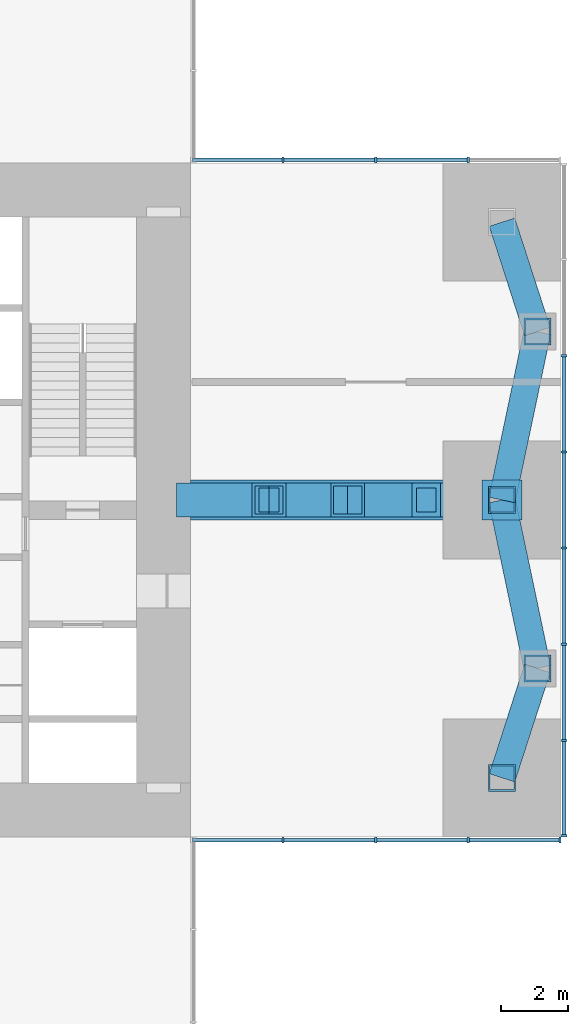
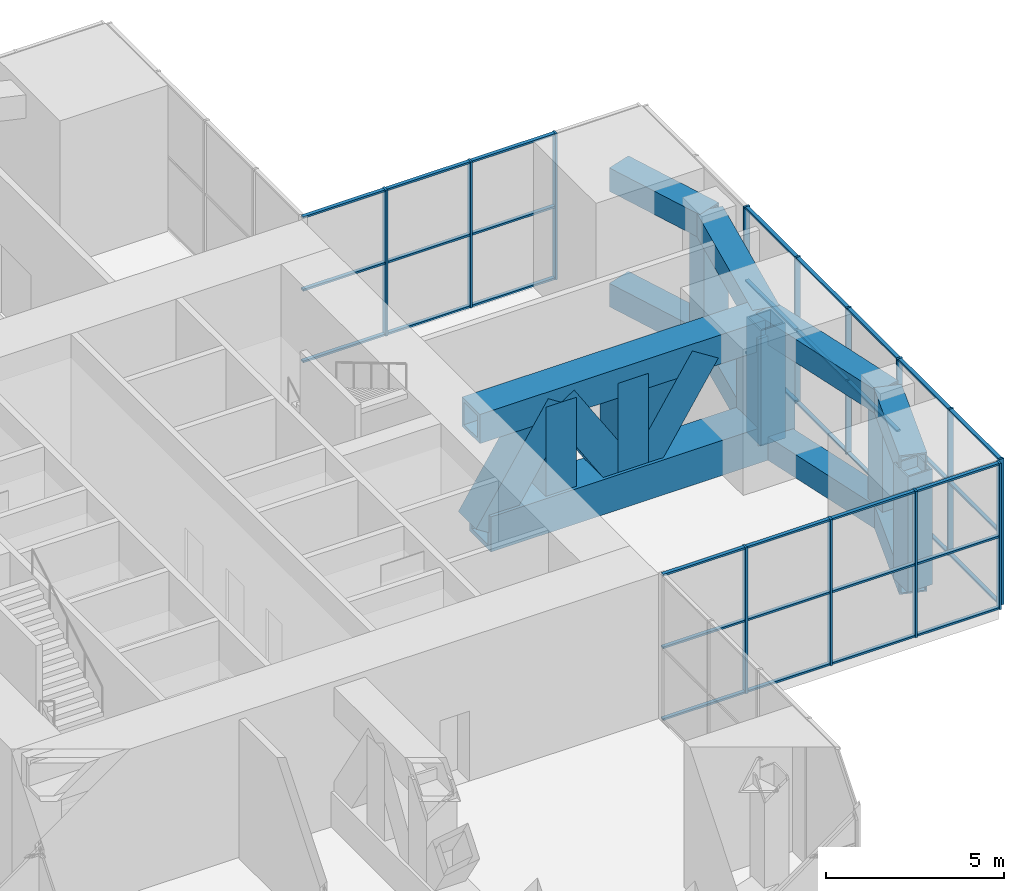
# One storey, part 5 of 12: 69 members, 3 elements without a shape of their own.
"""IFC4 building model written with IfcOpenShell, lengths in metres."""

from ifc_helpers import new_model, si_unit, direction, frame, origin, origin_2d, place, context, subcontext, project, spatial, rectangle, hollow_rectangle, extrude, material, material_profile, profile_set, type_object, element, aggregate, save


model = new_model("IFC4")

# Units and contexts
model_context = context("Model", 3, precision=1e-05, world=origin(), true_north=direction((0.0, 1.0)))
body_context = subcontext(model_context, "Body", "Model", "MODEL_VIEW")
ifc_project = project(units=[si_unit("LENGTHUNIT", "METRE"), si_unit("AREAUNIT", "SQUARE_METRE"), si_unit("VOLUMEUNIT", "CUBIC_METRE"), si_unit("PLANEANGLEUNIT", "RADIAN"), si_unit("MASSUNIT", "GRAM", prefix="KILO")], contexts=[model_context])

# Site, building, storey
site_placement = place(None, origin())
site = spatial("IfcSite", under=ifc_project, at=site_placement, CompositionType="ELEMENT")
building_placement = place(site_placement, origin())
building = spatial("IfcBuilding", under=site, at=building_placement, Name="Svetlomir Tower", CompositionType="ELEMENT")
storey_placement = place(building_placement, frame((0.0, 0.0, 160.5)))
storey = spatial("IfcBuildingStorey", under=building, at=storey_placement, Name="L38", CompositionType="ELEMENT", Elevation=160.5)

# Members
ifc_material_1 = material(Name="Steel S355", Category="steel")
ifc_material_profile_1 = material_profile(ifc_material_1, hollow_rectangle(XDim=0.800048828125, YDim=0.800048828125, WallThickness=0.050048828125, at=origin_2d()), Name="BOX 800x800x50")
ifc_profile_set_1 = profile_set([ifc_material_profile_1], Name="Steel S355")
member_type_1 = type_object("IfcMemberType", Name="BELT FRAME CHORD BOX 800x800x50", PredefinedType="CHORD", material=ifc_profile_set_1)
for number, where, z_axis, x_axis, name in (
    (1, (40.25, 12.75, 0.39990234375), (0.307443428225, 0.951566360503, 0.0), (-0.951566360503, 0.307443428225, 0.0), "Belt frame E L38 bottom chord 1"),
    (2, (40.25, 12.75, 4.35009765625), (0.307443428225, 0.951566360503, 0.0), (-0.951566360503, 0.307443428225, 0.0), "Belt frame E L38 top chord 1"),
):
    element("IfcMember", number, at=place(storey_placement, frame(where, z_axis=z_axis, x_axis=x_axis)), inside=storey, type_object=member_type_1, Name=name, PredefinedType="CHORD", context=body_context, shape_type="SweptSolid", body=[
        extrude(hollow_rectangle(XDim=0.800048828125, YDim=0.800048828125, WallThickness=0.050048828125, at=origin_2d()), origin(), (0.0, 0.0, 1.0), 3.41552734375),
    ])
for number, where, z_axis, x_axis, name in (
    (3, (41.300048828125, 16.0, 0.39990234375), (-0.205526387753, 0.978651574329, 0.0), (-0.978651574329, -0.205526387753, 0.0), "Belt frame E L38 bottom chord 2"),
    (4, (41.300048828125, 16.0, 4.35009765625), (-0.205526387753, 0.978651574329, 0.0), (-0.978651574329, -0.205526387753, 0.0), "Belt frame E L38 top chord 2"),
    (5, (40.25, 21.0, 0.39990234375), (0.205526387753, 0.978651574329, 0.0), (-0.978651574329, 0.205526387753, 0.0), "Belt frame E L38 bottom chord 3"),
    (6, (40.25, 21.0, 4.35009765625), (0.205526387753, 0.978651574329, 0.0), (-0.978651574329, 0.205526387753, 0.0), "Belt frame E L38 top chord 3"),
):
    element("IfcMember", number, at=place(storey_placement, frame(where, z_axis=z_axis, x_axis=x_axis)), inside=storey, type_object=member_type_1, Name=name, PredefinedType="CHORD", context=body_context, shape_type="SweptSolid", body=[
        extrude(hollow_rectangle(XDim=0.800048828125, YDim=0.800048828125, WallThickness=0.050048828125, at=origin_2d()), origin(), (0.0, 0.0, 1.0), 5.109130859375),
    ])
for number, where, z_axis, x_axis, name in (
    (7, (41.300048828125, 26.0, 0.39990234375), (-0.307443428225, 0.951566360503, 0.0), (-0.951566360503, -0.307443428225, 0.0), "Belt frame E L38 bottom chord 4"),
    (8, (41.300048828125, 26.0, 4.35009765625), (-0.307443428225, 0.951566360503, 0.0), (-0.951566360503, -0.307443428225, 0.0), "Belt frame E L38 top chord 4"),
):
    element("IfcMember", number, at=place(storey_placement, frame(where, z_axis=z_axis, x_axis=x_axis)), inside=storey, type_object=member_type_1, Name=name, PredefinedType="CHORD", context=body_context, shape_type="SweptSolid", body=[
        extrude(hollow_rectangle(XDim=0.800048828125, YDim=0.800048828125, WallThickness=0.050048828125, at=origin_2d()), origin(), (0.0, 0.0, 1.0), 3.41552734375),
    ])
ifc_material_2 = material(Name="Steel S355", Category="steel")
ifc_material_profile_2 = material_profile(ifc_material_2, hollow_rectangle(XDim=0.800048828125, YDim=0.800048828125, WallThickness=0.050048828125, at=origin_2d()), Name="BOX 800x800x50")
ifc_profile_set_2 = profile_set([ifc_material_profile_2], Name="Steel S355")
member_type_2 = type_object("IfcMemberType", Name="BELT FRAME POST BOX 800x800x50", PredefinedType="POST", material=ifc_profile_set_2)
for number, where, z_axis, x_axis, name in (
    (9, (40.25, 12.75, 0.39990234375), (0.0, 0.0, 1.0), (1.0, 0.0, 0.0), "Belt frame E L38 post 1"),
    (10, (41.300048828125, 16.0, 0.39990234375), (0.0, 0.0, 1.0), (1.0, 0.0, 0.0), "Belt frame E L38 post 2"),
    (11, (40.25, 21.0, 0.39990234375), (0.0, 0.0, 1.0), (1.0, 0.0, 0.0), "Belt frame E L38 post 3"),
    (12, (41.300048828125, 26.0, 0.39990234375), (0.0, 0.0, 1.0), (1.0, 0.0, 0.0), "Belt frame E L38 post 4"),
):
    element("IfcMember", number, at=place(storey_placement, frame(where, z_axis=z_axis, x_axis=x_axis)), inside=storey, type_object=member_type_2, Name=name, PredefinedType="POST", context=body_context, shape_type="SweptSolid", body=[
        extrude(hollow_rectangle(XDim=0.800048828125, YDim=0.800048828125, WallThickness=0.050048828125, at=origin_2d()), origin(), (0.0, 0.0, 1.0), 3.9501953125),
    ])

# Curtain wall, members
ifc_material_3 = material(Name="Bronze anodised aluminium curtain wall", Category="aluminium")
curtain_wall_type = type_object("IfcCurtainWallType", Name="CURTAIN WALL CW3 PLANT LOUVRE", PredefinedType="NOTDEFINED", material=ifc_material_3)
curtain_wall_1_placement = place(storey_placement, origin())
curtain_wall_1 = element("IfcCurtainWall", 13, at=curtain_wall_1_placement, inside=storey, type_object=curtain_wall_type, Name="Curtain wall CW3 L38", PredefinedType="NOTDEFINED")
ifc_material_4 = material(Name="Bronze anodised aluminium", Category="aluminium")
ifc_material_profile_3 = material_profile(ifc_material_4, rectangle(XDim=0.06494140625, YDim=0.179931640625, at=origin_2d()), Name="AL 65x180")
ifc_profile_set_3 = profile_set([ifc_material_profile_3], Name="Bronze anodised aluminium 6063-T6")
member_type_3 = type_object("IfcMemberType", Name="CW3 MULLION 65x180", PredefinedType="MULLION", material=ifc_profile_set_3)
member_1_placement = place(storey_placement, frame((33.75, 10.909912109375, 0.0), z_axis=(0.0, 0.0, 1.0), x_axis=(1.0, 0.0, 0.0)))
member_1 = element("IfcMember", 14, at=member_1_placement, type_object=member_type_3, Name="CW3 mullion 2", PredefinedType="MULLION", context=body_context, shape_type="SweptSolid", body=[
    extrude(rectangle(XDim=0.06494140625, YDim=0.179931640625, at=origin_2d()), origin(), (0.0, 0.0, 1.0), 5.0),
])
member_2_placement = place(storey_placement, frame((36.5, 10.909912109375, 0.0), z_axis=(0.0, 0.0, 1.0), x_axis=(1.0, 0.0, 0.0)))
member_2 = element("IfcMember", 15, at=member_2_placement, type_object=member_type_3, Name="CW3 mullion 3", PredefinedType="MULLION", context=body_context, shape_type="SweptSolid", body=[
    extrude(rectangle(XDim=0.06494140625, YDim=0.179931640625, at=origin_2d()), origin(), (0.0, 0.0, 1.0), 5.0),
])
member_3_placement = place(storey_placement, frame((39.25, 10.909912109375, 0.0), z_axis=(0.0, 0.0, 1.0), x_axis=(1.0, 0.0, 0.0)))
member_3 = element("IfcMember", 16, at=member_3_placement, type_object=member_type_3, Name="CW3 mullion 4", PredefinedType="MULLION", context=body_context, shape_type="SweptSolid", body=[
    extrude(rectangle(XDim=0.06494140625, YDim=0.179931640625, at=origin_2d()), origin(), (0.0, 0.0, 1.0), 5.0),
])
member_4_placement = place(storey_placement, frame((41.967529296875, 10.909912109375, 0.0), z_axis=(0.0, 0.0, 1.0), x_axis=(1.0, 0.0, 0.0)))
member_4 = element("IfcMember", 17, at=member_4_placement, type_object=member_type_3, Name="CW3 mullion 5", PredefinedType="MULLION", context=body_context, shape_type="SweptSolid", body=[
    extrude(rectangle(XDim=0.06494140625, YDim=0.179931640625, at=origin_2d()), origin(), (0.0, 0.0, 1.0), 5.0),
])

curtain_wall_2_placement = place(storey_placement, origin())
curtain_wall_2 = element("IfcCurtainWall", 18, at=curtain_wall_2_placement, inside=storey, type_object=curtain_wall_type, Name="Curtain wall CW3 L38", PredefinedType="NOTDEFINED")
member_5_placement = place(storey_placement, frame((42.090087890625, 11.032470703125, 0.0), z_axis=(0.0, 0.0, 1.0), x_axis=(0.0, 1.0, 0.0)))
member_5 = element("IfcMember", 19, at=member_5_placement, type_object=member_type_3, Name="CW3 mullion 1", PredefinedType="MULLION", context=body_context, shape_type="SweptSolid", body=[
    extrude(rectangle(XDim=0.06494140625, YDim=0.179931640625, at=origin_2d()), origin(), (0.0, 0.0, 1.0), 5.0),
])
member_6_placement = place(storey_placement, frame((42.090087890625, 13.857177734375, 0.0), z_axis=(0.0, 0.0, 1.0), x_axis=(0.0, 1.0, 0.0)))
member_6 = element("IfcMember", 20, at=member_6_placement, type_object=member_type_3, Name="CW3 mullion 2", PredefinedType="MULLION", context=body_context, shape_type="SweptSolid", body=[
    extrude(rectangle(XDim=0.06494140625, YDim=0.179931640625, at=origin_2d()), origin(), (0.0, 0.0, 1.0), 5.0),
])
member_7_placement = place(storey_placement, frame((42.090087890625, 16.71435546875, 0.0), z_axis=(0.0, 0.0, 1.0), x_axis=(0.0, 1.0, 0.0)))
member_7 = element("IfcMember", 21, at=member_7_placement, type_object=member_type_3, Name="CW3 mullion 3", PredefinedType="MULLION", context=body_context, shape_type="SweptSolid", body=[
    extrude(rectangle(XDim=0.06494140625, YDim=0.179931640625, at=origin_2d()), origin(), (0.0, 0.0, 1.0), 5.0),
])
member_8_placement = place(storey_placement, frame((42.090087890625, 19.571533203125, 0.0), z_axis=(0.0, 0.0, 1.0), x_axis=(0.0, 1.0, 0.0)))
member_8 = element("IfcMember", 22, at=member_8_placement, type_object=member_type_3, Name="CW3 mullion 4", PredefinedType="MULLION", context=body_context, shape_type="SweptSolid", body=[
    extrude(rectangle(XDim=0.06494140625, YDim=0.179931640625, at=origin_2d()), origin(), (0.0, 0.0, 1.0), 5.0),
])
member_9_placement = place(storey_placement, frame((42.090087890625, 22.428466796875, 0.0), z_axis=(0.0, 0.0, 1.0), x_axis=(0.0, 1.0, 0.0)))
member_9 = element("IfcMember", 23, at=member_9_placement, type_object=member_type_3, Name="CW3 mullion 5", PredefinedType="MULLION", context=body_context, shape_type="SweptSolid", body=[
    extrude(rectangle(XDim=0.06494140625, YDim=0.179931640625, at=origin_2d()), origin(), (0.0, 0.0, 1.0), 5.0),
])
member_10_placement = place(storey_placement, frame((42.090087890625, 25.28564453125, 0.0), z_axis=(0.0, 0.0, 1.0), x_axis=(0.0, 1.0, 0.0)))
member_10 = element("IfcMember", 24, at=member_10_placement, type_object=member_type_3, Name="CW3 mullion 6", PredefinedType="MULLION", context=body_context, shape_type="SweptSolid", body=[
    extrude(rectangle(XDim=0.06494140625, YDim=0.179931640625, at=origin_2d()), origin(), (0.0, 0.0, 1.0), 5.0),
])

curtain_wall_3_placement = place(storey_placement, origin())
curtain_wall_3 = element("IfcCurtainWall", 25, at=curtain_wall_3_placement, inside=storey, type_object=curtain_wall_type, Name="Curtain wall CW3 L38", PredefinedType="NOTDEFINED")
member_11_placement = place(storey_placement, frame((39.25, 31.090087890625, 0.0), z_axis=(0.0, 0.0, 1.0), x_axis=(-1.0, 0.0, 0.0)))
member_11 = element("IfcMember", 26, at=member_11_placement, type_object=member_type_3, Name="CW3 mullion 2", PredefinedType="MULLION", context=body_context, shape_type="SweptSolid", body=[
    extrude(rectangle(XDim=0.06494140625, YDim=0.179931640625, at=origin_2d()), origin(), (0.0, 0.0, 1.0), 5.0),
])
member_12_placement = place(storey_placement, frame((36.5, 31.090087890625, 0.0), z_axis=(0.0, 0.0, 1.0), x_axis=(-1.0, 0.0, 0.0)))
member_12 = element("IfcMember", 27, at=member_12_placement, type_object=member_type_3, Name="CW3 mullion 3", PredefinedType="MULLION", context=body_context, shape_type="SweptSolid", body=[
    extrude(rectangle(XDim=0.06494140625, YDim=0.179931640625, at=origin_2d()), origin(), (0.0, 0.0, 1.0), 5.0),
])
member_13_placement = place(storey_placement, frame((33.75, 31.090087890625, 0.0), z_axis=(0.0, 0.0, 1.0), x_axis=(-1.0, 0.0, 0.0)))
member_13 = element("IfcMember", 28, at=member_13_placement, type_object=member_type_3, Name="CW3 mullion 4", PredefinedType="MULLION", context=body_context, shape_type="SweptSolid", body=[
    extrude(rectangle(XDim=0.06494140625, YDim=0.179931640625, at=origin_2d()), origin(), (0.0, 0.0, 1.0), 5.0),
])

# Member
ifc_material_5 = material(Name="Bronze anodised aluminium", Category="aluminium")
ifc_material_profile_4 = material_profile(ifc_material_5, rectangle(XDim=0.1201171875, YDim=0.06494140625, at=origin_2d()), Name="AL 120x65")
ifc_profile_set_4 = profile_set([ifc_material_profile_4], Name="Bronze anodised aluminium 6063-T6")
member_type_4 = type_object("IfcMemberType", Name="CW3 TRANSOM 65x120", PredefinedType="USERDEFINED", material=ifc_profile_set_4)
member_14_placement = place(storey_placement, frame((31.06494140625, 10.909912109375, 0.032470703125), z_axis=(1.0, 0.0, 0.0), x_axis=(0.0, 1.0, 0.0)))
member_14 = element("IfcMember", 29, at=member_14_placement, type_object=member_type_4, Name="CW3 transom 1.1", ObjectType="TRANSOM", PredefinedType="USERDEFINED", context=body_context, shape_type="SweptSolid", body=[
    extrude(rectangle(XDim=0.1201171875, YDim=0.06494140625, at=origin_2d()), origin(), (0.0, 0.0, 1.0), 2.652587890625),
])

member_15_placement = place(storey_placement, frame((31.06494140625, 10.909912109375, 2.483642578125), z_axis=(1.0, 0.0, 0.0), x_axis=(0.0, 1.0, 0.0)))
member_15 = element("IfcMember", 30, at=member_15_placement, type_object=member_type_4, Name="CW3 transom 1.2", ObjectType="TRANSOM", PredefinedType="USERDEFINED", context=body_context, shape_type="SweptSolid", body=[
    extrude(rectangle(XDim=0.1201171875, YDim=0.06494140625, at=origin_2d()), origin(), (0.0, 0.0, 1.0), 2.652587890625),
])

member_16_placement = place(storey_placement, frame((31.06494140625, 10.909912109375, 4.967529296875), z_axis=(1.0, 0.0, 0.0), x_axis=(0.0, 1.0, 0.0)))
member_16 = element("IfcMember", 31, at=member_16_placement, type_object=member_type_4, Name="CW3 transom 1.3", ObjectType="TRANSOM", PredefinedType="USERDEFINED", context=body_context, shape_type="SweptSolid", body=[
    extrude(rectangle(XDim=0.1201171875, YDim=0.06494140625, at=origin_2d()), origin(), (0.0, 0.0, 1.0), 2.652587890625),
])

member_17_placement = place(storey_placement, frame((33.782470703125, 10.909912109375, 0.032470703125), z_axis=(1.0, 0.0, 0.0), x_axis=(0.0, 1.0, 0.0)))
member_17 = element("IfcMember", 32, at=member_17_placement, type_object=member_type_4, Name="CW3 transom 2.1", ObjectType="TRANSOM", PredefinedType="USERDEFINED", context=body_context, shape_type="SweptSolid", body=[
    extrude(rectangle(XDim=0.1201171875, YDim=0.06494140625, at=origin_2d()), origin(), (0.0, 0.0, 1.0), 2.68505859375),
])

member_18_placement = place(storey_placement, frame((33.782470703125, 10.909912109375, 2.483642578125), z_axis=(1.0, 0.0, 0.0), x_axis=(0.0, 1.0, 0.0)))
member_18 = element("IfcMember", 33, at=member_18_placement, type_object=member_type_4, Name="CW3 transom 2.2", ObjectType="TRANSOM", PredefinedType="USERDEFINED", context=body_context, shape_type="SweptSolid", body=[
    extrude(rectangle(XDim=0.1201171875, YDim=0.06494140625, at=origin_2d()), origin(), (0.0, 0.0, 1.0), 2.68505859375),
])

member_19_placement = place(storey_placement, frame((33.782470703125, 10.909912109375, 4.967529296875), z_axis=(1.0, 0.0, 0.0), x_axis=(0.0, 1.0, 0.0)))
member_19 = element("IfcMember", 34, at=member_19_placement, type_object=member_type_4, Name="CW3 transom 2.3", ObjectType="TRANSOM", PredefinedType="USERDEFINED", context=body_context, shape_type="SweptSolid", body=[
    extrude(rectangle(XDim=0.1201171875, YDim=0.06494140625, at=origin_2d()), origin(), (0.0, 0.0, 1.0), 2.68505859375),
])

member_20_placement = place(storey_placement, frame((36.532470703125, 10.909912109375, 0.032470703125), z_axis=(1.0, 0.0, 0.0), x_axis=(0.0, 1.0, 0.0)))
member_20 = element("IfcMember", 35, at=member_20_placement, type_object=member_type_4, Name="CW3 transom 3.1", ObjectType="TRANSOM", PredefinedType="USERDEFINED", context=body_context, shape_type="SweptSolid", body=[
    extrude(rectangle(XDim=0.1201171875, YDim=0.06494140625, at=origin_2d()), origin(), (0.0, 0.0, 1.0), 2.68505859375),
])

member_21_placement = place(storey_placement, frame((36.532470703125, 10.909912109375, 2.483642578125), z_axis=(1.0, 0.0, 0.0), x_axis=(0.0, 1.0, 0.0)))
member_21 = element("IfcMember", 36, at=member_21_placement, type_object=member_type_4, Name="CW3 transom 3.2", ObjectType="TRANSOM", PredefinedType="USERDEFINED", context=body_context, shape_type="SweptSolid", body=[
    extrude(rectangle(XDim=0.1201171875, YDim=0.06494140625, at=origin_2d()), origin(), (0.0, 0.0, 1.0), 2.68505859375),
])

member_22_placement = place(storey_placement, frame((36.532470703125, 10.909912109375, 4.967529296875), z_axis=(1.0, 0.0, 0.0), x_axis=(0.0, 1.0, 0.0)))
member_22 = element("IfcMember", 37, at=member_22_placement, type_object=member_type_4, Name="CW3 transom 3.3", ObjectType="TRANSOM", PredefinedType="USERDEFINED", context=body_context, shape_type="SweptSolid", body=[
    extrude(rectangle(XDim=0.1201171875, YDim=0.06494140625, at=origin_2d()), origin(), (0.0, 0.0, 1.0), 2.68505859375),
])

member_23_placement = place(storey_placement, frame((39.282470703125, 10.909912109375, 0.032470703125), z_axis=(1.0, 0.0, 0.0), x_axis=(0.0, 1.0, 0.0)))
member_23 = element("IfcMember", 38, at=member_23_placement, type_object=member_type_4, Name="CW3 transom 4.1", ObjectType="TRANSOM", PredefinedType="USERDEFINED", context=body_context, shape_type="SweptSolid", body=[
    extrude(rectangle(XDim=0.1201171875, YDim=0.06494140625, at=origin_2d()), origin(), (0.0, 0.0, 1.0), 2.652587890625),
])

member_24_placement = place(storey_placement, frame((39.282470703125, 10.909912109375, 2.483642578125), z_axis=(1.0, 0.0, 0.0), x_axis=(0.0, 1.0, 0.0)))
member_24 = element("IfcMember", 39, at=member_24_placement, type_object=member_type_4, Name="CW3 transom 4.2", ObjectType="TRANSOM", PredefinedType="USERDEFINED", context=body_context, shape_type="SweptSolid", body=[
    extrude(rectangle(XDim=0.1201171875, YDim=0.06494140625, at=origin_2d()), origin(), (0.0, 0.0, 1.0), 2.652587890625),
])

member_25_placement = place(storey_placement, frame((39.282470703125, 10.909912109375, 4.967529296875), z_axis=(1.0, 0.0, 0.0), x_axis=(0.0, 1.0, 0.0)))
member_25 = element("IfcMember", 40, at=member_25_placement, type_object=member_type_4, Name="CW3 transom 4.3", ObjectType="TRANSOM", PredefinedType="USERDEFINED", context=body_context, shape_type="SweptSolid", body=[
    extrude(rectangle(XDim=0.1201171875, YDim=0.06494140625, at=origin_2d()), origin(), (0.0, 0.0, 1.0), 2.652587890625),
])

aggregate(curtain_wall_1, [member_1, member_2, member_3, member_4, member_14, member_15, member_16, member_17, member_18, member_19, member_20, member_21, member_22, member_23, member_24, member_25])

member_26_placement = place(storey_placement, frame((42.090087890625, 11.06494140625, 0.032470703125), z_axis=(0.0, 1.0, 0.0), x_axis=(-1.0, 0.0, 0.0)))
member_26 = element("IfcMember", 41, at=member_26_placement, type_object=member_type_4, Name="CW3 transom 1.1", ObjectType="TRANSOM", PredefinedType="USERDEFINED", context=body_context, shape_type="SweptSolid", body=[
    extrude(rectangle(XDim=0.1201171875, YDim=0.06494140625, at=origin_2d()), origin(), (0.0, 0.0, 1.0), 2.759765625),
])

member_27_placement = place(storey_placement, frame((42.090087890625, 11.06494140625, 2.483642578125), z_axis=(0.0, 1.0, 0.0), x_axis=(-1.0, 0.0, 0.0)))
member_27 = element("IfcMember", 42, at=member_27_placement, type_object=member_type_4, Name="CW3 transom 1.2", ObjectType="TRANSOM", PredefinedType="USERDEFINED", context=body_context, shape_type="SweptSolid", body=[
    extrude(rectangle(XDim=0.1201171875, YDim=0.06494140625, at=origin_2d()), origin(), (0.0, 0.0, 1.0), 2.759765625),
])

member_28_placement = place(storey_placement, frame((42.090087890625, 11.06494140625, 4.967529296875), z_axis=(0.0, 1.0, 0.0), x_axis=(-1.0, 0.0, 0.0)))
member_28 = element("IfcMember", 43, at=member_28_placement, type_object=member_type_4, Name="CW3 transom 1.3", ObjectType="TRANSOM", PredefinedType="USERDEFINED", context=body_context, shape_type="SweptSolid", body=[
    extrude(rectangle(XDim=0.1201171875, YDim=0.06494140625, at=origin_2d()), origin(), (0.0, 0.0, 1.0), 2.759765625),
])

member_29_placement = place(storey_placement, frame((42.090087890625, 13.8896484375, 0.032470703125), z_axis=(0.0, 1.0, 0.0), x_axis=(-1.0, 0.0, 0.0)))
member_29 = element("IfcMember", 44, at=member_29_placement, type_object=member_type_4, Name="CW3 transom 2.1", ObjectType="TRANSOM", PredefinedType="USERDEFINED", context=body_context, shape_type="SweptSolid", body=[
    extrude(rectangle(XDim=0.1201171875, YDim=0.06494140625, at=origin_2d()), origin(), (0.0, 0.0, 1.0), 2.792236328125),
])

member_30_placement = place(storey_placement, frame((42.090087890625, 13.8896484375, 2.483642578125), z_axis=(0.0, 1.0, 0.0), x_axis=(-1.0, 0.0, 0.0)))
member_30 = element("IfcMember", 45, at=member_30_placement, type_object=member_type_4, Name="CW3 transom 2.2", ObjectType="TRANSOM", PredefinedType="USERDEFINED", context=body_context, shape_type="SweptSolid", body=[
    extrude(rectangle(XDim=0.1201171875, YDim=0.06494140625, at=origin_2d()), origin(), (0.0, 0.0, 1.0), 2.792236328125),
])

member_31_placement = place(storey_placement, frame((42.090087890625, 13.8896484375, 4.967529296875), z_axis=(0.0, 1.0, 0.0), x_axis=(-1.0, 0.0, 0.0)))
member_31 = element("IfcMember", 46, at=member_31_placement, type_object=member_type_4, Name="CW3 transom 2.3", ObjectType="TRANSOM", PredefinedType="USERDEFINED", context=body_context, shape_type="SweptSolid", body=[
    extrude(rectangle(XDim=0.1201171875, YDim=0.06494140625, at=origin_2d()), origin(), (0.0, 0.0, 1.0), 2.792236328125),
])

member_32_placement = place(storey_placement, frame((42.090087890625, 16.746826171875, 0.032470703125), z_axis=(0.0, 1.0, 0.0), x_axis=(-1.0, 0.0, 0.0)))
member_32 = element("IfcMember", 47, at=member_32_placement, type_object=member_type_4, Name="CW3 transom 3.1", ObjectType="TRANSOM", PredefinedType="USERDEFINED", context=body_context, shape_type="SweptSolid", body=[
    extrude(rectangle(XDim=0.1201171875, YDim=0.06494140625, at=origin_2d()), origin(), (0.0, 0.0, 1.0), 2.7919921875),
])

member_33_placement = place(storey_placement, frame((42.090087890625, 16.746826171875, 2.483642578125), z_axis=(0.0, 1.0, 0.0), x_axis=(-1.0, 0.0, 0.0)))
member_33 = element("IfcMember", 48, at=member_33_placement, type_object=member_type_4, Name="CW3 transom 3.2", ObjectType="TRANSOM", PredefinedType="USERDEFINED", context=body_context, shape_type="SweptSolid", body=[
    extrude(rectangle(XDim=0.1201171875, YDim=0.06494140625, at=origin_2d()), origin(), (0.0, 0.0, 1.0), 2.7919921875),
])

member_34_placement = place(storey_placement, frame((42.090087890625, 16.746826171875, 4.967529296875), z_axis=(0.0, 1.0, 0.0), x_axis=(-1.0, 0.0, 0.0)))
member_34 = element("IfcMember", 49, at=member_34_placement, type_object=member_type_4, Name="CW3 transom 3.3", ObjectType="TRANSOM", PredefinedType="USERDEFINED", context=body_context, shape_type="SweptSolid", body=[
    extrude(rectangle(XDim=0.1201171875, YDim=0.06494140625, at=origin_2d()), origin(), (0.0, 0.0, 1.0), 2.7919921875),
])

member_35_placement = place(storey_placement, frame((42.090087890625, 19.60400390625, 0.032470703125), z_axis=(0.0, 1.0, 0.0), x_axis=(-1.0, 0.0, 0.0)))
member_35 = element("IfcMember", 50, at=member_35_placement, type_object=member_type_4, Name="CW3 transom 4.1", ObjectType="TRANSOM", PredefinedType="USERDEFINED", context=body_context, shape_type="SweptSolid", body=[
    extrude(rectangle(XDim=0.1201171875, YDim=0.06494140625, at=origin_2d()), origin(), (0.0, 0.0, 1.0), 2.7919921875),
])

member_36_placement = place(storey_placement, frame((42.090087890625, 19.60400390625, 2.483642578125), z_axis=(0.0, 1.0, 0.0), x_axis=(-1.0, 0.0, 0.0)))
member_36 = element("IfcMember", 51, at=member_36_placement, type_object=member_type_4, Name="CW3 transom 4.2", ObjectType="TRANSOM", PredefinedType="USERDEFINED", context=body_context, shape_type="SweptSolid", body=[
    extrude(rectangle(XDim=0.1201171875, YDim=0.06494140625, at=origin_2d()), origin(), (0.0, 0.0, 1.0), 2.7919921875),
])

member_37_placement = place(storey_placement, frame((42.090087890625, 19.60400390625, 4.967529296875), z_axis=(0.0, 1.0, 0.0), x_axis=(-1.0, 0.0, 0.0)))
member_37 = element("IfcMember", 52, at=member_37_placement, type_object=member_type_4, Name="CW3 transom 4.3", ObjectType="TRANSOM", PredefinedType="USERDEFINED", context=body_context, shape_type="SweptSolid", body=[
    extrude(rectangle(XDim=0.1201171875, YDim=0.06494140625, at=origin_2d()), origin(), (0.0, 0.0, 1.0), 2.7919921875),
])

member_38_placement = place(storey_placement, frame((42.090087890625, 22.461181640625, 0.032470703125), z_axis=(0.0, 1.0, 0.0), x_axis=(-1.0, 0.0, 0.0)))
member_38 = element("IfcMember", 53, at=member_38_placement, type_object=member_type_4, Name="CW3 transom 5.1", ObjectType="TRANSOM", PredefinedType="USERDEFINED", context=body_context, shape_type="SweptSolid", body=[
    extrude(rectangle(XDim=0.1201171875, YDim=0.06494140625, at=origin_2d()), origin(), (0.0, 0.0, 1.0), 2.7919921875),
])

member_39_placement = place(storey_placement, frame((42.090087890625, 22.461181640625, 2.483642578125), z_axis=(0.0, 1.0, 0.0), x_axis=(-1.0, 0.0, 0.0)))
member_39 = element("IfcMember", 54, at=member_39_placement, type_object=member_type_4, Name="CW3 transom 5.2", ObjectType="TRANSOM", PredefinedType="USERDEFINED", context=body_context, shape_type="SweptSolid", body=[
    extrude(rectangle(XDim=0.1201171875, YDim=0.06494140625, at=origin_2d()), origin(), (0.0, 0.0, 1.0), 2.7919921875),
])

member_40_placement = place(storey_placement, frame((42.090087890625, 22.461181640625, 4.967529296875), z_axis=(0.0, 1.0, 0.0), x_axis=(-1.0, 0.0, 0.0)))
member_40 = element("IfcMember", 55, at=member_40_placement, type_object=member_type_4, Name="CW3 transom 5.3", ObjectType="TRANSOM", PredefinedType="USERDEFINED", context=body_context, shape_type="SweptSolid", body=[
    extrude(rectangle(XDim=0.1201171875, YDim=0.06494140625, at=origin_2d()), origin(), (0.0, 0.0, 1.0), 2.7919921875),
])

aggregate(curtain_wall_2, [member_5, member_6, member_7, member_8, member_9, member_10, member_26, member_27, member_28, member_29, member_30, member_31, member_32, member_33, member_34, member_35, member_36, member_37, member_38, member_39, member_40])

member_41_placement = place(storey_placement, frame((39.217529296875, 31.090087890625, 0.032470703125), z_axis=(-1.0, 0.0, 0.0), x_axis=(0.0, -1.0, 0.0)))
member_41 = element("IfcMember", 56, at=member_41_placement, type_object=member_type_4, Name="CW3 transom 2.1", ObjectType="TRANSOM", PredefinedType="USERDEFINED", context=body_context, shape_type="SweptSolid", body=[
    extrude(rectangle(XDim=0.1201171875, YDim=0.06494140625, at=origin_2d()), origin(), (0.0, 0.0, 1.0), 2.68505859375),
])

member_42_placement = place(storey_placement, frame((39.217529296875, 31.090087890625, 2.483642578125), z_axis=(-1.0, 0.0, 0.0), x_axis=(0.0, -1.0, 0.0)))
member_42 = element("IfcMember", 57, at=member_42_placement, type_object=member_type_4, Name="CW3 transom 2.2", ObjectType="TRANSOM", PredefinedType="USERDEFINED", context=body_context, shape_type="SweptSolid", body=[
    extrude(rectangle(XDim=0.1201171875, YDim=0.06494140625, at=origin_2d()), origin(), (0.0, 0.0, 1.0), 2.68505859375),
])

member_43_placement = place(storey_placement, frame((39.217529296875, 31.090087890625, 4.967529296875), z_axis=(-1.0, 0.0, 0.0), x_axis=(0.0, -1.0, 0.0)))
member_43 = element("IfcMember", 58, at=member_43_placement, type_object=member_type_4, Name="CW3 transom 2.3", ObjectType="TRANSOM", PredefinedType="USERDEFINED", context=body_context, shape_type="SweptSolid", body=[
    extrude(rectangle(XDim=0.1201171875, YDim=0.06494140625, at=origin_2d()), origin(), (0.0, 0.0, 1.0), 2.68505859375),
])

member_44_placement = place(storey_placement, frame((36.467529296875, 31.090087890625, 0.032470703125), z_axis=(-1.0, 0.0, 0.0), x_axis=(0.0, -1.0, 0.0)))
member_44 = element("IfcMember", 59, at=member_44_placement, type_object=member_type_4, Name="CW3 transom 3.1", ObjectType="TRANSOM", PredefinedType="USERDEFINED", context=body_context, shape_type="SweptSolid", body=[
    extrude(rectangle(XDim=0.1201171875, YDim=0.06494140625, at=origin_2d()), origin(), (0.0, 0.0, 1.0), 2.68505859375),
])

member_45_placement = place(storey_placement, frame((36.467529296875, 31.090087890625, 2.483642578125), z_axis=(-1.0, 0.0, 0.0), x_axis=(0.0, -1.0, 0.0)))
member_45 = element("IfcMember", 60, at=member_45_placement, type_object=member_type_4, Name="CW3 transom 3.2", ObjectType="TRANSOM", PredefinedType="USERDEFINED", context=body_context, shape_type="SweptSolid", body=[
    extrude(rectangle(XDim=0.1201171875, YDim=0.06494140625, at=origin_2d()), origin(), (0.0, 0.0, 1.0), 2.68505859375),
])

member_46_placement = place(storey_placement, frame((36.467529296875, 31.090087890625, 4.967529296875), z_axis=(-1.0, 0.0, 0.0), x_axis=(0.0, -1.0, 0.0)))
member_46 = element("IfcMember", 61, at=member_46_placement, type_object=member_type_4, Name="CW3 transom 3.3", ObjectType="TRANSOM", PredefinedType="USERDEFINED", context=body_context, shape_type="SweptSolid", body=[
    extrude(rectangle(XDim=0.1201171875, YDim=0.06494140625, at=origin_2d()), origin(), (0.0, 0.0, 1.0), 2.68505859375),
])

member_47_placement = place(storey_placement, frame((33.717529296875, 31.090087890625, 0.032470703125), z_axis=(-1.0, 0.0, 0.0), x_axis=(0.0, -1.0, 0.0)))
member_47 = element("IfcMember", 62, at=member_47_placement, type_object=member_type_4, Name="CW3 transom 4.1", ObjectType="TRANSOM", PredefinedType="USERDEFINED", context=body_context, shape_type="SweptSolid", body=[
    extrude(rectangle(XDim=0.1201171875, YDim=0.06494140625, at=origin_2d()), origin(), (0.0, 0.0, 1.0), 2.652587890625),
])

member_48_placement = place(storey_placement, frame((33.717529296875, 31.090087890625, 2.483642578125), z_axis=(-1.0, 0.0, 0.0), x_axis=(0.0, -1.0, 0.0)))
member_48 = element("IfcMember", 63, at=member_48_placement, type_object=member_type_4, Name="CW3 transom 4.2", ObjectType="TRANSOM", PredefinedType="USERDEFINED", context=body_context, shape_type="SweptSolid", body=[
    extrude(rectangle(XDim=0.1201171875, YDim=0.06494140625, at=origin_2d()), origin(), (0.0, 0.0, 1.0), 2.652587890625),
])

member_49_placement = place(storey_placement, frame((33.717529296875, 31.090087890625, 4.967529296875), z_axis=(-1.0, 0.0, 0.0), x_axis=(0.0, -1.0, 0.0)))
member_49 = element("IfcMember", 64, at=member_49_placement, type_object=member_type_4, Name="CW3 transom 4.3", ObjectType="TRANSOM", PredefinedType="USERDEFINED", context=body_context, shape_type="SweptSolid", body=[
    extrude(rectangle(XDim=0.1201171875, YDim=0.06494140625, at=origin_2d()), origin(), (0.0, 0.0, 1.0), 2.652587890625),
])

aggregate(curtain_wall_3, [member_11, member_12, member_13, member_41, member_42, member_43, member_44, member_45, member_46, member_47, member_48, member_49])

# Members
ifc_material_6 = material(Name="Steel S355", Category="steel")
ifc_material_profile_5 = material_profile(ifc_material_6, hollow_rectangle(XDim=1.0, YDim=1.0, WallThickness=0.1201171875, at=origin_2d()), Name="BOX 1000x1000x120")
ifc_profile_set_5 = profile_set([ifc_material_profile_5], Name="Steel S355")
member_type_5 = type_object("IfcMemberType", Name="OUTRIGGER CHORD BOX 1000x1000x120", PredefinedType="CHORD", material=ifc_profile_set_5)
member_50_placement = place(storey_placement, frame((30.699951171875, 21.0, 4.25), z_axis=(1.0, 0.0, 0.0), x_axis=(0.0, 1.0, 0.0)))
element("IfcMember", 65, at=member_50_placement, inside=storey, type_object=member_type_5, Name="Outrigger E L38 top chord", PredefinedType="CHORD", context=body_context, shape_type="SweptSolid", body=[
    extrude(hollow_rectangle(XDim=1.0, YDim=1.0, WallThickness=0.1201171875, at=origin_2d()), origin(), (0.0, 0.0, 1.0), 9.550048828125),
])
ifc_material_7 = material(Name="Steel S355", Category="steel")
ifc_material_profile_6 = material_profile(ifc_material_7, hollow_rectangle(XDim=1.199951171875, YDim=1.199951171875, WallThickness=0.14990234375, at=origin_2d()), Name="BOX 1200x1200x150")
ifc_profile_set_6 = profile_set([ifc_material_profile_6], Name="Steel S355")
member_type_6 = type_object("IfcMemberType", Name="OUTRIGGER CHORD BOX 1200x1200x150", PredefinedType="CHORD", material=ifc_profile_set_6)
member_51_placement = place(storey_placement, frame((31.0, 21.0, 0.60009765625), z_axis=(1.0, 0.0, 0.0), x_axis=(0.0, 1.0, 0.0)))
element("IfcMember", 66, at=member_51_placement, inside=storey, type_object=member_type_6, Name="Outrigger E L38 bottom chord", PredefinedType="CHORD", context=body_context, shape_type="SweptSolid", body=[
    extrude(hollow_rectangle(XDim=1.199951171875, YDim=1.199951171875, WallThickness=0.14990234375, at=origin_2d()), origin(), (0.0, 0.0, 1.0), 9.25),
])
ifc_material_8 = material(Name="Steel S355", Category="steel")
ifc_material_profile_7 = material_profile(ifc_material_8, hollow_rectangle(XDim=1.0, YDim=1.0, WallThickness=0.14990234375, at=origin_2d()), Name="BOX 1000x1000x150")
ifc_profile_set_7 = profile_set([ifc_material_profile_7], Name="Steel S355")
member_type_7 = type_object("IfcMemberType", Name="OUTRIGGER DIAGONAL BOX 1000x1000x150", PredefinedType="BRACE", material=ifc_profile_set_7)
for number, where, z_axis, x_axis, name in (
    (67, (31.0, 21.0, 0.60009765625), (0.538613825489, 0.0, 0.842552756207), (0.0, 1.0, 0.0), "Outrigger E L38 diagonal 1"),
    (68, (33.333251953125, 21.0, 4.25), (0.53865383197, 0.0, -0.842527180158), (0.0, 1.0, 0.0), "Outrigger E L38 diagonal 2"),
    (69, (35.666748046875, 21.0, 0.60009765625), (0.538613825489, 0.0, 0.842552756207), (0.0, 1.0, 0.0), "Outrigger E L38 diagonal 3"),
):
    element("IfcMember", number, at=place(storey_placement, frame(where, z_axis=z_axis, x_axis=x_axis)), inside=storey, type_object=member_type_7, Name=name, PredefinedType="BRACE", context=body_context, shape_type="SweptSolid", body=[
        extrude(hollow_rectangle(XDim=1.0, YDim=1.0, WallThickness=0.14990234375, at=origin_2d()), origin(), (0.0, 0.0, 1.0), 4.33203125),
    ])
ifc_material_9 = material(Name="Steel S355", Category="steel")
ifc_material_profile_8 = material_profile(ifc_material_9, hollow_rectangle(XDim=1.199951171875, YDim=1.199951171875, WallThickness=0.199951171875, at=origin_2d()), Name="BOX 1200x1200x200")
ifc_profile_set_8 = profile_set([ifc_material_profile_8], Name="Steel S355")
member_type_8 = type_object("IfcMemberType", Name="OUTRIGGER END POST BOX 1200x1200x200", PredefinedType="POST", material=ifc_profile_set_8)
member_52_placement = place(storey_placement, frame((40.25, 21.0, 0.60009765625), z_axis=(0.0, 0.0, 1.0), x_axis=(1.0, 0.0, 0.0)))
element("IfcMember", 70, at=member_52_placement, inside=storey, type_object=member_type_8, Name="Outrigger E L38 end post", PredefinedType="POST", context=body_context, shape_type="SweptSolid", body=[
    extrude(hollow_rectangle(XDim=1.199951171875, YDim=1.199951171875, WallThickness=0.199951171875, at=origin_2d()), origin(), (0.0, 0.0, 1.0), 3.64990234375),
])
ifc_material_10 = material(Name="Steel S355", Category="steel")
ifc_material_profile_9 = material_profile(ifc_material_10, hollow_rectangle(XDim=1.0, YDim=1.0, WallThickness=0.080078125, at=origin_2d()), Name="BOX 1000x1000x80")
ifc_profile_set_9 = profile_set([ifc_material_profile_9], Name="Steel S355")
member_type_9 = type_object("IfcMemberType", Name="OUTRIGGER POST BOX 1000x1000x80", PredefinedType="POST", material=ifc_profile_set_9)
for number, where, z_axis, x_axis, name in (
    (71, (33.333251953125, 21.0, 0.60009765625), (0.0, 0.0, 1.0), (1.0, 0.0, 0.0), "Outrigger E L38 post 1"),
    (72, (35.666748046875, 21.0, 0.60009765625), (0.0, 0.0, 1.0), (1.0, 0.0, 0.0), "Outrigger E L38 post 2"),
):
    element("IfcMember", number, at=place(storey_placement, frame(where, z_axis=z_axis, x_axis=x_axis)), inside=storey, type_object=member_type_9, Name=name, PredefinedType="POST", context=body_context, shape_type="SweptSolid", body=[
        extrude(hollow_rectangle(XDim=1.0, YDim=1.0, WallThickness=0.080078125, at=origin_2d()), origin(), (0.0, 0.0, 1.0), 3.64990234375),
    ])

save(model, "model.ifc")
